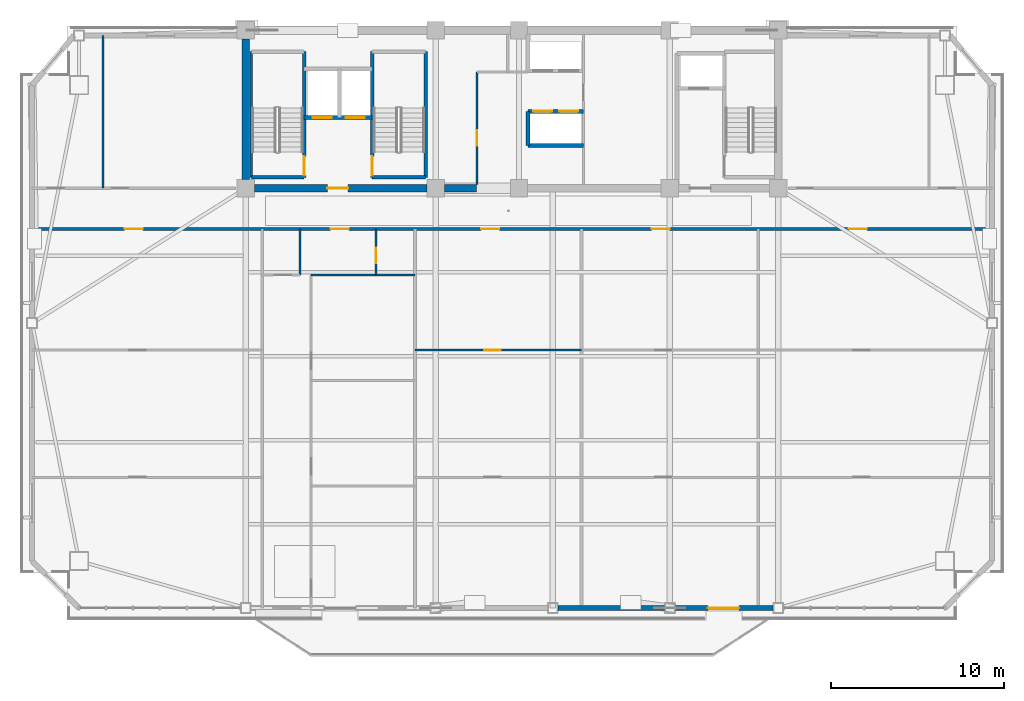
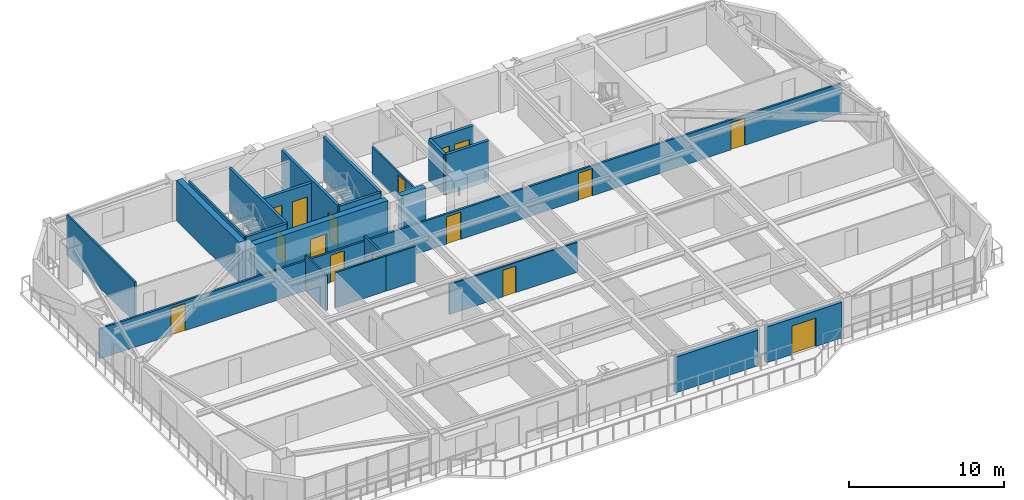
# One storey, part 9 of 16: 23 walls, 16 doors, 16 openings.
"""IFC4 building model written with IfcOpenShell, lengths in metres."""

import ifcopenshell
import ifcopenshell.guid

model = None  # the IFC model being written
_history = None  # IfcOwnerHistory: only IFC2X3 demands one
_inside = {}  # id of a spatial element -> (the spatial element, [elements in it])
_under = {}  # id of a project, library or spatial element -> (it, [spatial elements below it])
_declared = {}  # id of a project -> (the project, [libraries it declares])
_typed = {}  # id of a type object -> (the type object, [elements of that type])
_made_of = {}  # id of a material, layer set ... -> (it, [elements and type objects made of it])


def new_model(schema):
    """Start an empty IFC model of exactly this schema.

    Asked for "IFC4X3", IfcOpenShell would pick the latest addendum, in which some entities
    have other attributes; the version numbers below select the first issue.
    IFC2X3 requires an IfcOwnerHistory on every rooted entity: one is made here for all.
    """
    global model, _history
    if schema == "IFC4X3":
        model = ifcopenshell.file(schema_version=(4, 3, 0, 0))
    else:
        model = ifcopenshell.file(schema=schema)
    _inside.clear()
    _under.clear()
    _declared.clear()
    _typed.clear()
    _made_of.clear()
    _history = None
    if model.schema == "IFC2X3":
        org = make("IfcOrganization", Name="unknown")
        user = make(
            "IfcPersonAndOrganization",
            ThePerson=make("IfcPerson", FamilyName="unknown"),
            TheOrganization=org,
        )
        app = make(
            "IfcApplication",
            ApplicationDeveloper=org,
            Version="unknown",
            ApplicationFullName="unknown",
            ApplicationIdentifier="unknown",
        )
        _history = make(
            "IfcOwnerHistory",
            OwningUser=user,
            OwningApplication=app,
            ChangeAction="ADDED",
            CreationDate=0,
        )
    return model


def make(cls, **values):
    """One entity of the class cls with the attributes given. An attribute that is None is left unset."""
    return model.create_entity(
        cls, **{name: value for name, value in values.items() if value is not None}
    )


def rooted(cls, **values):
    """An entity with a GlobalId (a new one), such as an element, a storey or a relation."""
    return make(cls, GlobalId=ifcopenshell.guid.new(), OwnerHistory=_history, **values)


def si_unit(unit_type, name, prefix=None):
    """IfcSIUnit, for example si_unit("LENGTHUNIT", "METRE", prefix="MILLI")."""
    return make("IfcSIUnit", UnitType=unit_type, Prefix=prefix, Name=name)


def assignment(units):
    """IfcUnitAssignment: the units of a project."""
    return None if units is None else make("IfcUnitAssignment", Units=units)


def point(xyz):
    """IfcCartesianPoint."""
    return None if xyz is None else make("IfcCartesianPoint", Coordinates=xyz)


def direction(xyz):
    """IfcDirection."""
    return None if xyz is None else make("IfcDirection", DirectionRatios=xyz)


def frame(location, z_axis=None, x_axis=None):
    """IfcAxis2Placement3D, a coordinate frame: its origin and axes. An axis left out is left unset."""
    return make(
        "IfcAxis2Placement3D",
        Location=point(location),
        Axis=direction(z_axis),
        RefDirection=direction(x_axis),
    )


def frame_2d(location, x_axis=None):
    """IfcAxis2Placement2D, a coordinate frame in the plane: its origin and x axis."""
    return make(
        "IfcAxis2Placement2D", Location=point(location), RefDirection=direction(x_axis)
    )


def origin():
    """The frame at (0, 0, 0) with its axes left unset."""
    return frame((0.0, 0.0, 0.0))


def place(relative_to, where):
    """IfcLocalPlacement: puts the frame where relative to a parent placement (None: the world)."""
    return make(
        "IfcLocalPlacement", PlacementRelTo=relative_to, RelativePlacement=where
    )


def context(
    kind, dimensions, precision=None, world=None, true_north=None, identifier=None
):
    """IfcGeometricRepresentationContext, for example the 3D "Model" context."""
    return make(
        "IfcGeometricRepresentationContext",
        ContextIdentifier=identifier,
        ContextType=kind,
        CoordinateSpaceDimension=dimensions,
        Precision=precision,
        WorldCoordinateSystem=world,
        TrueNorth=true_north,
    )


def subcontext(parent, identifier, kind, view, scale=None):
    """IfcGeometricRepresentationSubContext, for example "Body" below "Model"."""
    return make(
        "IfcGeometricRepresentationSubContext",
        ContextIdentifier=identifier,
        ContextType=kind,
        ParentContext=parent,
        TargetScale=scale,
        TargetView=view,
    )


def project(units=None, contexts=None):
    """IfcProject with its units and contexts."""
    return rooted(
        "IfcProject",
        Name="project",
        RepresentationContexts=contexts,
        UnitsInContext=assignment(units),
    )


def spatial(cls, under=None, at=None, **own):
    """A site, building, storey or space (cls), placed at a placement, below another one or the project."""
    s = rooted(cls, ObjectPlacement=at, **own)
    if under is not None:
        _under.setdefault(under.id(), (under, []))[1].append(s)
    return s


def profile(cls, at=None, kind="AREA", **sizes):
    """A parametric profile (cls). Its sizes go by their IFC names, for example OverallWidth=200.0."""
    return make(cls, ProfileType=kind, Position=at, **sizes)


def rectangle(**sizes):
    """IfcRectangleProfileDef."""
    return profile("IfcRectangleProfileDef", **sizes)


def extrude(swept, where, along, depth):
    """IfcExtrudedAreaSolid: the profile swept, set in the frame where, extruded along a direction by depth."""
    return make(
        "IfcExtrudedAreaSolid",
        SweptArea=swept,
        Position=where,
        ExtrudedDirection=direction(along),
        Depth=depth,
    )


def shape(context_of_items, identifier, shape_type, items):
    """IfcShapeRepresentation: the items that make up one representation, for example the "Body"."""
    return make(
        "IfcShapeRepresentation",
        ContextOfItems=context_of_items,
        RepresentationIdentifier=identifier,
        RepresentationType=shape_type,
        Items=items,
    )


def source(mapping_origin, context_of_items, identifier, shape_type, items):
    """IfcRepresentationMap: a shape defined once, which mapped items show again and again."""
    return make(
        "IfcRepresentationMap",
        MappingOrigin=mapping_origin,
        MappedRepresentation=shape(context_of_items, identifier, shape_type, items),
    )


def transform(
    local_origin,
    x_axis=None,
    y_axis=None,
    z_axis=None,
    scale=None,
    scale2=None,
    scale3=None,
    uniform=True,
):
    """IfcCartesianTransformationOperator3D, or its non-uniform kind. x_axis, y_axis, z_axis: its Axis1, 2, 3."""
    if uniform:
        return make(
            "IfcCartesianTransformationOperator3D",
            Axis1=direction(x_axis),
            Axis2=direction(y_axis),
            LocalOrigin=point(local_origin),
            Scale=scale,
            Axis3=direction(z_axis),
        )
    return make(
        "IfcCartesianTransformationOperator3DnonUniform",
        Axis1=direction(x_axis),
        Axis2=direction(y_axis),
        LocalOrigin=point(local_origin),
        Scale=scale,
        Axis3=direction(z_axis),
        Scale2=scale2,
        Scale3=scale3,
    )


def mapped(mapping_source, mapping_target):
    """IfcMappedItem: shows the shape of a source again, moved by a transform."""
    return make(
        "IfcMappedItem", MappingSource=mapping_source, MappingTarget=mapping_target
    )


def material(Name=None, Category=None):
    """IfcMaterial."""
    return make("IfcMaterial", Name=Name, Category=Category)


def layer(
    of_material, thickness, ventilated=None, Name=None, Category=None, Priority=None
):
    """IfcMaterialLayer: one layer of a wall or slab, of a material (None: an air gap)."""
    return make(
        "IfcMaterialLayer",
        Material=of_material,
        LayerThickness=thickness,
        IsVentilated=ventilated,
        Name=Name,
        Category=Category,
        Priority=Priority,
    )


def layer_set(layers, Name=None):
    """IfcMaterialLayerSet."""
    return make("IfcMaterialLayerSet", MaterialLayers=layers, LayerSetName=Name)


def made_of(thing, what):
    """Note that an element or type object is made of a material, layer set ...; save() writes the relation."""
    if what is not None:
        _made_of.setdefault(what.id(), (what, []))[1].append(thing)
    return thing


def type_object(cls, material=None, **own):
    """A type object (cls), such as IfcWallType, which elements share."""
    return made_of(rooted(cls, **own), material)


def element(
    cls,
    number,
    at=None,
    inside=None,
    cuts=None,
    type_object=None,
    material=None,
    context=None,
    identifier="Body",
    shape_type=None,
    held_by="IfcProductDefinitionShape",
    body=None,
    shapes=None,
    **own,
):
    """One element of the class cls, such as IfcWall. Its Tag is "e" and its number.

    at: its placement. inside: the storey or other place that contains it. cuts: it is an
    opening in that element (IfcRelVoidsElement). A single representation is given by context,
    identifier, shape_type and body (its items); several are given by shapes. held_by: the class
    of the entity that holds the representations. save() writes the other relations.
    """
    e = rooted(cls, Tag="e%d" % number, ObjectPlacement=at, **own)
    if body is not None:
        shapes = [shape(context, identifier, shape_type, body)]
    if shapes is not None:
        e.Representation = make(held_by, Representations=shapes)
    if inside is not None:
        _inside.setdefault(inside.id(), (inside, []))[1].append(e)
    if cuts is not None:
        rooted(
            "IfcRelVoidsElement", RelatingBuildingElement=cuts, RelatedOpeningElement=e
        )
    if type_object is not None:
        _typed.setdefault(type_object.id(), (type_object, []))[1].append(e)
    return made_of(e, material)


def fill(opening, filler):
    """IfcRelFillsElement: the door or window that sits in an opening."""
    return rooted(
        "IfcRelFillsElement",
        RelatingOpeningElement=opening,
        RelatedBuildingElement=filler,
    )


def aggregate(whole, parts):
    """IfcRelAggregates: a whole, such as a stair, and the parts it consists of."""
    return rooted("IfcRelAggregates", RelatingObject=whole, RelatedObjects=parts)


def save(model, path):
    """Write the relations noted so far, then the file.

    IfcRelAggregates (storeys below a building ...), IfcRelContainedInSpatialStructure (elements
    in a storey), IfcRelDefinesByType, IfcRelAssociatesMaterial and IfcRelDeclares: one each for
    every whole, place, type object, material and project.
    """
    for whole, parts in _under.values():
        aggregate(whole, parts)
    for where, things in _inside.values():
        rooted(
            "IfcRelContainedInSpatialStructure",
            RelatedElements=things,
            RelatingStructure=where,
        )
    for kind, things in _typed.values():
        rooted("IfcRelDefinesByType", RelatedObjects=things, RelatingType=kind)
    for what, things in _made_of.values():
        rooted("IfcRelAssociatesMaterial", RelatedObjects=things, RelatingMaterial=what)
    for by, libraries in _declared.values():
        rooted("IfcRelDeclares", RelatingContext=by, RelatedDefinitions=libraries)
    model.write(path)


model = new_model("IFC4")

# Units and contexts
model_context = context("Model", 3, precision=1e-05, world=origin(), true_north=direction((0.0, 1.0)))
body_context = subcontext(model_context, "Body", "Model", "MODEL_VIEW")
ifc_project = project(units=[si_unit("LENGTHUNIT", "METRE"), si_unit("AREAUNIT", "SQUARE_METRE"), si_unit("VOLUMEUNIT", "CUBIC_METRE"), si_unit("PLANEANGLEUNIT", "RADIAN"), si_unit("MASSUNIT", "GRAM", prefix="KILO")], contexts=[model_context])

# Site, building, storey
site_placement = place(None, origin())
site = spatial("IfcSite", under=ifc_project, at=site_placement, CompositionType="ELEMENT")
building_placement = place(site_placement, origin())
building = spatial("IfcBuilding", under=site, at=building_placement, Name="Giltprow Tower", CompositionType="ELEMENT")
storey_placement = place(building_placement, frame((0.0, 0.0, 227.0)))
storey = spatial("IfcBuildingStorey", under=building, at=storey_placement, Name="L57", CompositionType="ELEMENT", Elevation=227.0)

# Wall
ifc_material_1 = material(Name="Precast concrete C40", Category="concrete")
ifc_layer_1 = layer(ifc_material_1, 0.280029296875, Name="Precast concrete C40")
ifc_layer_set_1 = layer_set([ifc_layer_1], Name="Precast concrete C40")
wall_type_1 = type_object("IfcWallType", Name="EW-TOW-BRONZE-280", PredefinedType="SOLIDWALL", material=ifc_layer_set_1)
wall_1_placement = place(storey_placement, frame((37.85009765625, 13.25, 0.0), z_axis=(0.0, 0.0, 1.0), x_axis=(1.0, 0.0, 0.0)))
element("IfcWall", 1, at=wall_1_placement, inside=storey, type_object=wall_type_1, Name="L57 South Expressed Frame Wall 4", PredefinedType="SOLIDWALL", context=body_context, shape_type="SweptSolid", body=[
    extrude(rectangle(XDim=6.14990234375, YDim=0.280029296875, at=frame_2d((3.074951171875, 0.0))), origin(), (0.0, 0.0, 1.0), 2.81494140625),
])

# Wall, opening, door
wall_2_placement = place(storey_placement, frame((44.60009765625, 13.25, 0.0), z_axis=(0.0, 0.0, 1.0), x_axis=(1.0, 0.0, 0.0)))
wall_2 = element("IfcWall", 2, at=wall_2_placement, inside=storey, type_object=wall_type_1, Name="L57 South Expressed Frame Wall 5", PredefinedType="SOLIDWALL", context=body_context, shape_type="SweptSolid", body=[
    extrude(rectangle(XDim=5.64990234375, YDim=0.280029296875, at=frame_2d((2.824951171875, 0.0))), origin(), (0.0, 0.0, 1.0), 2.81494140625),
])
opening_1_placement = place(wall_2_placement, frame((1.89990234375, 0.0, 0.0)))
opening_1 = element("IfcOpeningElement", 3, at=opening_1_placement, cuts=wall_2, Name="Opening ED25", PredefinedType="OPENING", context=body_context, shape_type="SweptSolid", body=[
    extrude(rectangle(XDim=1.800048828125, YDim=2.25, at=frame_2d((0.89990234375, 1.125))), frame((0.0, 0.14990234375, 0.0), z_axis=(0.0, -1.0, 0.0), x_axis=(1.0, 0.0, 0.0)), (0.0, 0.0, 1.0), 0.300048828125),
])
ifc_material_2 = material(Name="Anodized bronze and glass", Category="glass")
door_type_1 = type_object("IfcDoorType", Name="DR-BALC-SLIDE-1800", OperationType="SLIDING_TO_LEFT", PredefinedType="DOOR", material=ifc_material_2)
shared_shape_1 = source(origin(), body_context, "Body", "SweptSolid", [
    extrude(rectangle(XDim=1.800048828125, YDim=2.25, at=frame_2d((0.89990234375, 1.125))), frame((0.0, 0.02490234375, 0.0), z_axis=(0.0, -1.0, 0.0), x_axis=(1.0, 0.0, 0.0)), (0.0, 0.0, 1.0), 0.050048828125),
])
door_1_placement = place(opening_1_placement, origin())
door_1 = element("IfcDoor", 4, at=door_1_placement, inside=storey, type_object=door_type_1, Name="L57 Waterfront Balcony Sliding Door 2", OperationType="SLIDING_TO_LEFT", OverallHeight=2.25, OverallWidth=1.800048828125, PredefinedType="DOOR", context=body_context, shape_type="MappedRepresentation", body=[
    mapped(shared_shape_1, transform((0.0, 0.0, 0.0), x_axis=(1.0, 0.0, 0.0), y_axis=(0.0, 1.0, 0.0), z_axis=(0.0, 0.0, 1.0), scale=1.0)),
])
fill(opening_1, door_1)

# Wall, openings, doors
ifc_material_3 = material(Name="Gypsum stud partition", Category="gypsum")
ifc_layer_2 = layer(ifc_material_3, 0.14990234375, Name="Gypsum stud partition")
ifc_layer_set_2 = layer_set([ifc_layer_2], Name="Gypsum stud partition")
wall_type_2 = type_object("IfcWallType", Name="IW-CORR-150", PredefinedType="PARTITIONING", material=ifc_layer_set_2)
wall_3_placement = place(storey_placement, frame((7.532958984375, 35.10009765625, 0.0), z_axis=(0.0, 0.0, 1.0), x_axis=(1.0, 0.0, 0.0)))
wall_3 = element("IfcWall", 5, at=wall_3_placement, inside=storey, type_object=wall_type_2, Name="L57 Residence Gallery Corridor Wall", PredefinedType="PARTITIONING", context=body_context, shape_type="SweptSolid", body=[
    extrude(rectangle(XDim=55.333984375, YDim=0.14990234375, at=frame_2d((27.6669921875, 0.0))), origin(), (0.0, 0.0, 1.0), 2.3701171875),
])
opening_2_placement = place(wall_3_placement, frame((5.3349609375, 0.0, 0.0)))
opening_2 = element("IfcOpeningElement", 6, at=opening_2_placement, cuts=wall_3, Name="Opening ID31", PredefinedType="OPENING", context=body_context, shape_type="SweptSolid", body=[
    extrude(rectangle(XDim=1.050048828125, YDim=2.14990234375, at=frame_2d((0.52490234375, 1.074951171875))), frame((0.0, 0.0849609375, 0.0), z_axis=(0.0, -1.0, 0.0), x_axis=(1.0, 0.0, 0.0)), (0.0, 0.0, 1.0), 0.169921875),
])
opening_3_placement = place(wall_3_placement, frame((17.20703125, 0.0, 0.0)))
opening_3 = element("IfcOpeningElement", 7, at=opening_3_placement, cuts=wall_3, Name="Opening ID31", PredefinedType="OPENING", context=body_context, shape_type="SweptSolid", body=[
    extrude(rectangle(XDim=1.050048828125, YDim=2.14990234375, at=frame_2d((0.52490234375, 1.074951171875))), frame((0.0, 0.0849609375, 0.0), z_axis=(0.0, -1.0, 0.0), x_axis=(1.0, 0.0, 0.0)), (0.0, 0.0, 1.0), 0.169921875),
])
opening_4_placement = place(wall_3_placement, frame((25.884033203125, 0.0, 0.0)))
opening_4 = element("IfcOpeningElement", 8, at=opening_4_placement, cuts=wall_3, Name="Opening ID31", PredefinedType="OPENING", context=body_context, shape_type="SweptSolid", body=[
    extrude(rectangle(XDim=1.050048828125, YDim=2.14990234375, at=frame_2d((0.52490234375, 1.074951171875))), frame((0.0, 0.0849609375, 0.0), z_axis=(0.0, -1.0, 0.0), x_axis=(1.0, 0.0, 0.0)), (0.0, 0.0, 1.0), 0.169921875),
])
opening_5_placement = place(wall_3_placement, frame((35.7119140625, 0.0, 0.0)))
opening_5 = element("IfcOpeningElement", 9, at=opening_5_placement, cuts=wall_3, Name="Opening ID31", PredefinedType="OPENING", context=body_context, shape_type="SweptSolid", body=[
    extrude(rectangle(XDim=1.050048828125, YDim=2.14990234375, at=frame_2d((0.52490234375, 1.074951171875))), frame((0.0, 0.0849609375, 0.0), z_axis=(0.0, -1.0, 0.0), x_axis=(1.0, 0.0, 0.0)), (0.0, 0.0, 1.0), 0.169921875),
])
opening_6_placement = place(wall_3_placement, frame((47.077880859375, 0.0, 0.0)))
opening_6 = element("IfcOpeningElement", 10, at=opening_6_placement, cuts=wall_3, Name="Opening ID31", PredefinedType="OPENING", context=body_context, shape_type="SweptSolid", body=[
    extrude(rectangle(XDim=1.050048828125, YDim=2.14990234375, at=frame_2d((0.52490234375, 1.074951171875))), frame((0.0, 0.0849609375, 0.0), z_axis=(0.0, -1.0, 0.0), x_axis=(1.0, 0.0, 0.0)), (0.0, 0.0, 1.0), 0.169921875),
])
ifc_material_4 = material(Name="Engineered timber", Category="wood")
door_type_2 = type_object("IfcDoorType", Name="DR-SUITE-1050", OperationType="SINGLE_SWING_LEFT", PredefinedType="DOOR", material=ifc_material_4)
shared_shape_2 = source(origin(), body_context, "Body", "SweptSolid", [
    extrude(rectangle(XDim=1.050048828125, YDim=2.14990234375, at=frame_2d((0.52490234375, 1.074951171875))), frame((0.0, 0.02490234375, 0.0), z_axis=(0.0, -1.0, 0.0), x_axis=(1.0, 0.0, 0.0)), (0.0, 0.0, 1.0), 0.050048828125),
])
door_2_placement = place(opening_2_placement, origin())
door_2 = element("IfcDoor", 11, at=door_2_placement, inside=storey, type_object=door_type_2, Name="L57 Harbour Lounge Salon North Door", OperationType="SINGLE_SWING_RIGHT", OverallHeight=2.14990234375, OverallWidth=1.050048828125, PredefinedType="DOOR", context=body_context, shape_type="MappedRepresentation", body=[
    mapped(shared_shape_2, transform((0.0, 0.0, 0.0), x_axis=(1.0, 0.0, 0.0), y_axis=(0.0, 1.0, 0.0), z_axis=(0.0, 0.0, 1.0), scale=1.0)),
])
fill(opening_2, door_2)
door_3_placement = place(opening_3_placement, origin())
door_3 = element("IfcDoor", 12, at=door_3_placement, inside=storey, type_object=door_type_2, Name="L57 Unit 1 Entrance Door", OperationType="SINGLE_SWING_LEFT", OverallHeight=2.14990234375, OverallWidth=1.050048828125, PredefinedType="DOOR", context=body_context, shape_type="MappedRepresentation", body=[
    mapped(shared_shape_2, transform((0.0, 0.0, 0.0), x_axis=(1.0, 0.0, 0.0), y_axis=(0.0, 1.0, 0.0), z_axis=(0.0, 0.0, 1.0), scale=1.0)),
])
fill(opening_3, door_3)
door_4_placement = place(opening_4_placement, origin())
door_4 = element("IfcDoor", 13, at=door_4_placement, inside=storey, type_object=door_type_2, Name="L57 Residents Sky Club Lounge North Door", OperationType="SINGLE_SWING_LEFT", OverallHeight=2.14990234375, OverallWidth=1.050048828125, PredefinedType="DOOR", context=body_context, shape_type="MappedRepresentation", body=[
    mapped(shared_shape_2, transform((0.0, 0.0, 0.0), x_axis=(1.0, 0.0, 0.0), y_axis=(0.0, 1.0, 0.0), z_axis=(0.0, 0.0, 1.0), scale=1.0)),
])
fill(opening_4, door_4)
door_5_placement = place(opening_5_placement, origin())
door_5 = element("IfcDoor", 14, at=door_5_placement, inside=storey, type_object=door_type_2, Name="L57 Residents Sky Club Lounge North Door", OperationType="SINGLE_SWING_RIGHT", OverallHeight=2.14990234375, OverallWidth=1.050048828125, PredefinedType="DOOR", context=body_context, shape_type="MappedRepresentation", body=[
    mapped(shared_shape_2, transform((0.0, 0.0, 0.0), x_axis=(1.0, 0.0, 0.0), y_axis=(0.0, 1.0, 0.0), z_axis=(0.0, 0.0, 1.0), scale=1.0)),
])
fill(opening_5, door_5)
door_6_placement = place(opening_6_placement, origin())
door_6 = element("IfcDoor", 15, at=door_6_placement, inside=storey, type_object=door_type_2, Name="L57 Sky Music Lounge North Door", OperationType="SINGLE_SWING_LEFT", OverallHeight=2.14990234375, OverallWidth=1.050048828125, PredefinedType="DOOR", context=body_context, shape_type="MappedRepresentation", body=[
    mapped(shared_shape_2, transform((0.0, 0.0, 0.0), x_axis=(1.0, 0.0, 0.0), y_axis=(0.0, 1.0, 0.0), z_axis=(0.0, 0.0, 1.0), scale=1.0)),
])
fill(opening_6, door_6)

# Wall
ifc_layer_3 = layer(ifc_material_3, 0.1201171875, Name="Gypsum stud partition")
ifc_layer_set_3 = layer_set([ifc_layer_3], Name="Gypsum stud partition")
wall_type_3 = type_object("IfcWallType", Name="IW-ROOM-120", PredefinedType="PARTITIONING", material=ifc_layer_set_3)
wall_4_placement = place(storey_placement, frame((23.6201171875, 32.449951171875, 0.0), z_axis=(0.0, 0.0, 1.0), x_axis=(1.0, 0.0, 0.0)))
element("IfcWall", 16, at=wall_4_placement, inside=storey, type_object=wall_type_3, Name="L57 Unit 1 Bedroom North Wall", PredefinedType="PARTITIONING", context=body_context, shape_type="SweptSolid", body=[
    extrude(rectangle(XDim=3.739990234375, YDim=0.1201171875, at=frame_2d((1.8701171875, 0.0))), origin(), (0.0, 0.0, 1.0), 2.77001953125),
])

# Wall, opening, door
wall_5_placement = place(storey_placement, frame((29.60009765625, 28.117919921875, 0.0), z_axis=(0.0, 0.0, 1.0), x_axis=(1.0, 0.0, 0.0)))
wall_5 = element("IfcWall", 17, at=wall_5_placement, inside=storey, type_object=wall_type_3, Name="L57 Special Split 2", PredefinedType="PARTITIONING", context=body_context, shape_type="SweptSolid", body=[
    extrude(rectangle(XDim=9.599853515625, YDim=0.1201171875, at=frame_2d((4.7998046875, 0.0))), origin(), (0.0, 0.0, 1.0), 2.3701171875),
])
opening_7_placement = place(wall_5_placement, frame((4.006103515625, 0.0, 0.0)))
opening_7 = element("IfcOpeningElement", 18, at=opening_7_placement, cuts=wall_5, Name="Opening ID11", PredefinedType="OPENING", context=body_context, shape_type="SweptSolid", body=[
    extrude(rectangle(XDim=0.949951171875, YDim=2.10009765625, at=frame_2d((0.47509765625, 1.050048828125))), frame((0.0, 0.070068359375, 0.0), z_axis=(0.0, -1.0, 0.0), x_axis=(1.0, 0.0, 0.0)), (0.0, 0.0, 1.0), 0.14013671875),
])
door_type_3 = type_object("IfcDoorType", Name="DR-ROOM-950", OperationType="SINGLE_SWING_RIGHT", PredefinedType="DOOR", material=ifc_material_4)
shared_shape_3 = source(origin(), body_context, "Body", "SweptSolid", [
    extrude(rectangle(XDim=0.949951171875, YDim=2.10009765625, at=frame_2d((0.47509765625, 1.050048828125))), frame((0.0, 0.02490234375, 0.0), z_axis=(0.0, -1.0, 0.0), x_axis=(1.0, 0.0, 0.0)), (0.0, 0.0, 1.0), 0.050048828125),
])
door_7_placement = place(opening_7_placement, origin())
door_7 = element("IfcDoor", 19, at=door_7_placement, inside=storey, type_object=door_type_3, Name="L57 Residents Sky Club Lounge Mid Door", OperationType="SINGLE_SWING_RIGHT", OverallHeight=2.10009765625, OverallWidth=0.949951171875, PredefinedType="DOOR", context=body_context, shape_type="MappedRepresentation", body=[
    mapped(shared_shape_3, transform((0.0, 0.0, 0.0), x_axis=(1.0, 0.0, 0.0), y_axis=(0.0, 1.0, 0.0), z_axis=(0.0, 0.0, 1.0), scale=1.0)),
])
fill(opening_7, door_7)

# Wall, openings, doors
ifc_material_5 = material(Name="Concrete C40", Category="concrete")
ifc_layer_4 = layer(ifc_material_5, 0.219970703125, Name="Concrete C40")
ifc_layer_set_4 = layer_set([ifc_layer_4], Name="Concrete C40")
wall_type_4 = type_object("IfcWallType", Name="IW-SHAFT-220", PredefinedType="SOLIDWALL", material=ifc_layer_set_4)
wall_6_placement = place(storey_placement, frame((23.219970703125, 41.52001953125, 0.0), z_axis=(0.0, 0.0, 1.0), x_axis=(1.0, 0.0, 0.0)))
wall_6 = element("IfcWall", 20, at=wall_6_placement, inside=storey, type_object=wall_type_4, Name="L57 FFL1 and Service Lift Front Wall", PredefinedType="SOLIDWALL", context=body_context, shape_type="SweptSolid", body=[
    extrude(rectangle(XDim=3.919921875, YDim=0.219970703125, at=frame_2d((1.9599609375, 0.0))), origin(), (0.0, 0.0, 1.0), 3.18505859375),
])
opening_8_placement = place(wall_6_placement, frame((0.5, 0.0, 0.0)))
opening_8 = element("IfcOpeningElement", 21, at=opening_8_placement, cuts=wall_6, Name="Opening LD-11", PredefinedType="OPENING", context=body_context, shape_type="SweptSolid", body=[
    extrude(rectangle(XDim=1.10009765625, YDim=2.199951171875, at=frame_2d((0.550048828125, 1.10009765625))), frame((0.0, 0.119873046875, 0.0), z_axis=(0.0, -1.0, 0.0), x_axis=(1.0, 0.0, 0.0)), (0.0, 0.0, 1.0), 0.239990234375),
])
opening_9_placement = place(wall_6_placement, frame((2.39990234375, 0.0, 0.0)))
opening_9 = element("IfcOpeningElement", 22, at=opening_9_placement, cuts=wall_6, Name="Opening LD-11", PredefinedType="OPENING", context=body_context, shape_type="SweptSolid", body=[
    extrude(rectangle(XDim=1.10009765625, YDim=2.199951171875, at=frame_2d((0.550048828125, 1.10009765625))), frame((0.0, 0.119873046875, 0.0), z_axis=(0.0, -1.0, 0.0), x_axis=(1.0, 0.0, 0.0)), (0.0, 0.0, 1.0), 0.239990234375),
])
ifc_material_6 = material(Name="Stainless steel", Category="steel")
door_type_4 = type_object("IfcDoorType", Name="DR-LIFT-LD1100", OperationType="SLIDING_TO_LEFT", PredefinedType="DOOR", material=ifc_material_6)
shared_shape_4 = source(origin(), body_context, "Body", "SweptSolid", [
    extrude(rectangle(XDim=1.10009765625, YDim=2.199951171875, at=frame_2d((0.550048828125, 1.10009765625))), frame((0.0, 0.02490234375, 0.0), z_axis=(0.0, -1.0, 0.0), x_axis=(1.0, 0.0, 0.0)), (0.0, 0.0, 1.0), 0.050048828125),
])
door_8_placement = place(opening_8_placement, origin())
door_8 = element("IfcDoor", 23, at=door_8_placement, inside=storey, type_object=door_type_4, Name="L57 FFL1 Landing Door", OperationType="SLIDING_TO_LEFT", OverallHeight=2.199951171875, OverallWidth=1.10009765625, PredefinedType="DOOR", context=body_context, shape_type="MappedRepresentation", body=[
    mapped(shared_shape_4, transform((0.0, 0.0, 0.0), x_axis=(1.0, 0.0, 0.0), y_axis=(0.0, 1.0, 0.0), z_axis=(0.0, 0.0, 1.0), scale=1.0)),
])
fill(opening_8, door_8)
door_9_placement = place(opening_9_placement, origin())
door_9 = element("IfcDoor", 24, at=door_9_placement, inside=storey, type_object=door_type_4, Name="L57 SVL1 Landing Door", OperationType="SLIDING_TO_LEFT", OverallHeight=2.199951171875, OverallWidth=1.10009765625, PredefinedType="DOOR", context=body_context, shape_type="MappedRepresentation", body=[
    mapped(shared_shape_4, transform((0.0, 0.0, 0.0), x_axis=(1.0, 0.0, 0.0), y_axis=(0.0, 1.0, 0.0), z_axis=(0.0, 0.0, 1.0), scale=1.0)),
])
fill(opening_9, door_9)

wall_7_placement = place(storey_placement, frame((36.1201171875, 41.8798828125, 0.0), z_axis=(0.0, 0.0, 1.0), x_axis=(1.0, 0.0, 0.0)))
wall_7 = element("IfcWall", 25, at=wall_7_placement, inside=storey, type_object=wall_type_4, Name="L57 High-Rise Lift Shaft Front Wall S", PredefinedType="SOLIDWALL", context=body_context, shape_type="SweptSolid", body=[
    extrude(rectangle(XDim=3.199951171875, YDim=0.219970703125, at=frame_2d((1.60009765625, 0.0))), origin(), (0.0, 0.0, 1.0), 3.18505859375),
])
opening_10_placement = place(wall_7_placement, frame((0.300048828125, 0.0, 0.0)))
opening_10 = element("IfcOpeningElement", 26, at=opening_10_placement, cuts=wall_7, Name="Opening LD-11", PredefinedType="OPENING", context=body_context, shape_type="SweptSolid", body=[
    extrude(rectangle(XDim=1.10009765625, YDim=2.199951171875, at=frame_2d((0.550048828125, 1.10009765625))), frame((0.0, 0.119873046875, 0.0), z_axis=(0.0, -1.0, 0.0), x_axis=(1.0, 0.0, 0.0)), (0.0, 0.0, 1.0), 0.239990234375),
])
opening_11_placement = place(wall_7_placement, frame((1.7900390625, 0.0, 0.0)))
opening_11 = element("IfcOpeningElement", 27, at=opening_11_placement, cuts=wall_7, Name="Opening LD-11", PredefinedType="OPENING", context=body_context, shape_type="SweptSolid", body=[
    extrude(rectangle(XDim=1.10009765625, YDim=2.199951171875, at=frame_2d((0.550048828125, 1.10009765625))), frame((0.0, 0.119873046875, 0.0), z_axis=(0.0, -1.0, 0.0), x_axis=(1.0, 0.0, 0.0)), (0.0, 0.0, 1.0), 0.239990234375),
])
door_10_placement = place(opening_10_placement, origin())
door_10 = element("IfcDoor", 28, at=door_10_placement, inside=storey, type_object=door_type_4, Name="L57 PL-H3 Landing Door", OperationType="SLIDING_TO_LEFT", OverallHeight=2.199951171875, OverallWidth=1.10009765625, PredefinedType="DOOR", context=body_context, shape_type="MappedRepresentation", body=[
    mapped(shared_shape_4, transform((0.0, 0.0, 0.0), x_axis=(1.0, 0.0, 0.0), y_axis=(0.0, 1.0, 0.0), z_axis=(0.0, 0.0, 1.0), scale=1.0)),
])
fill(opening_10, door_10)
door_11_placement = place(opening_11_placement, origin())
door_11 = element("IfcDoor", 29, at=door_11_placement, inside=storey, type_object=door_type_4, Name="L57 PL-H4 Landing Door", OperationType="SLIDING_TO_LEFT", OverallHeight=2.199951171875, OverallWidth=1.10009765625, PredefinedType="DOOR", context=body_context, shape_type="MappedRepresentation", body=[
    mapped(shared_shape_4, transform((0.0, 0.0, 0.0), x_axis=(1.0, 0.0, 0.0), y_axis=(0.0, 1.0, 0.0), z_axis=(0.0, 0.0, 1.0), scale=1.0)),
])
fill(opening_11, door_11)

# Walls
wall_8_placement = place(storey_placement, frame((36.1201171875, 39.919921875, 0.0), z_axis=(0.0, 0.0, 1.0), x_axis=(1.0, 0.0, 0.0)))
element("IfcWall", 30, at=wall_8_placement, inside=storey, type_object=wall_type_4, Name="L57 High-Rise South Lift Back Wall", PredefinedType="SOLIDWALL", context=body_context, shape_type="SweptSolid", body=[
    extrude(rectangle(XDim=3.199951171875, YDim=0.219970703125, at=frame_2d((1.60009765625, 0.0))), origin(), (0.0, 0.0, 1.0), 3.18505859375),
])
wall_9_placement = place(storey_placement, frame((36.1201171875, 39.919921875, 0.0), z_axis=(0.0, 0.0, 1.0), x_axis=(0.0, 1.0, 0.0)))
element("IfcWall", 31, at=wall_9_placement, inside=storey, type_object=wall_type_4, Name="L57 High-Rise South Lift West Closure", PredefinedType="SOLIDWALL", context=body_context, shape_type="SweptSolid", body=[
    extrude(rectangle(XDim=1.9599609375, YDim=0.219970703125, at=frame_2d((0.97998046875, 0.0))), origin(), (0.0, 0.0, 1.0), 3.18505859375),
])
ifc_material_7 = material(Name="Concrete C45", Category="concrete")
ifc_layer_5 = layer(ifc_material_7, 0.139892578125, Name="Concrete C45")
ifc_layer_set_5 = layer_set([ifc_layer_5], Name="Concrete C45")
wall_type_5 = type_object("IfcWallType", Name="IW-STAIR-140", PredefinedType="SOLIDWALL", material=ifc_layer_set_5)
wall_10_placement = place(storey_placement, frame((20.169921875, 38.070068359375, 0.0), z_axis=(0.0, 0.0, 1.0), x_axis=(0.0, 1.0, 0.0)))
element("IfcWall", 32, at=wall_10_placement, inside=storey, type_object=wall_type_5, Name="L57 Stair ST-1 West Bearing Wall", PredefinedType="SOLIDWALL", context=body_context, shape_type="SweptSolid", body=[
    extrude(rectangle(XDim=7.25, YDim=0.139892578125, at=frame_2d((3.625, 0.0))), origin(), (0.0, 0.0, 1.0), 3.39990234375),
])

# Wall, opening, door
ifc_layer_6 = layer(ifc_material_5, 0.199951171875, Name="Concrete C40")
ifc_layer_set_6 = layer_set([ifc_layer_6], Name="Concrete C40")
wall_type_6 = type_object("IfcWallType", Name="IW-STAIR-200", PredefinedType="SOLIDWALL", material=ifc_layer_set_6)
wall_11_placement = place(storey_placement, frame((23.219970703125, 38.070068359375, 0.0), z_axis=(0.0, 0.0, 1.0), x_axis=(0.0, 1.0, 0.0)))
wall_11 = element("IfcWall", 33, at=wall_11_placement, inside=storey, type_object=wall_type_6, Name="L57 Stair ST-1 East Bearing Wall", PredefinedType="SOLIDWALL", context=body_context, shape_type="SweptSolid", body=[
    extrude(rectangle(XDim=7.25, YDim=0.199951171875, at=frame_2d((3.625, 0.0))), origin(), (0.0, 0.0, 1.0), 3.39990234375),
])
opening_12_placement = place(wall_11_placement, frame((0.110107421875, 0.0, 0.0)))
opening_12 = element("IfcOpeningElement", 34, at=opening_12_placement, cuts=wall_11, Name="Opening ID33", PredefinedType="OPENING", context=body_context, shape_type="SweptSolid", body=[
    extrude(rectangle(XDim=1.10009765625, YDim=2.14990234375, at=frame_2d((0.550048828125, 1.074951171875))), frame((0.0, 0.10986328125, 0.0), z_axis=(0.0, -1.0, 0.0), x_axis=(1.0, 0.0, 0.0)), (0.0, 0.0, 1.0), 0.219970703125),
])
ifc_material_8 = material(Name="Steel fire leaf", Category="steel")
door_type_5 = type_object("IfcDoorType", Name="DR-STAIR-1100", OperationType="SINGLE_SWING_LEFT", PredefinedType="DOOR", material=ifc_material_8)
shared_shape_5 = source(origin(), body_context, "Body", "SweptSolid", [
    extrude(rectangle(XDim=1.10009765625, YDim=2.14990234375, at=frame_2d((0.550048828125, 1.074951171875))), frame((0.0, 0.02490234375, 0.0), z_axis=(0.0, -1.0, 0.0), x_axis=(1.0, 0.0, 0.0)), (0.0, 0.0, 1.0), 0.050048828125),
])
door_12_placement = place(opening_12_placement, origin())
door_12 = element("IfcDoor", 35, at=door_12_placement, inside=storey, type_object=door_type_5, Name="L57 Stair ST-1 Fire Door", OperationType="SINGLE_SWING_LEFT", OverallHeight=2.14990234375, OverallWidth=1.10009765625, PredefinedType="DOOR", context=body_context, shape_type="MappedRepresentation", body=[
    mapped(shared_shape_5, transform((0.0, 0.0, 0.0), x_axis=(1.0, 0.0, 0.0), y_axis=(0.0, 1.0, 0.0), z_axis=(0.0, 0.0, 1.0), scale=1.0)),
])
fill(opening_12, door_12)

# Wall
wall_12_placement = place(storey_placement, frame((20.169921875, 38.070068359375, 0.0), z_axis=(0.0, 0.0, 1.0), x_axis=(1.0, 0.0, 0.0)))
element("IfcWall", 36, at=wall_12_placement, inside=storey, type_object=wall_type_6, Name="L57 Stair ST-1 South Bearing Wall", PredefinedType="SOLIDWALL", context=body_context, shape_type="SweptSolid", body=[
    extrude(rectangle(XDim=3.050048828125, YDim=0.199951171875, at=frame_2d((1.52490234375, 0.0))), origin(), (0.0, 0.0, 1.0), 3.39990234375),
])

# Wall, opening, door
wall_13_placement = place(storey_placement, frame((27.139892578125, 38.070068359375, 0.0), z_axis=(0.0, 0.0, 1.0), x_axis=(0.0, 1.0, 0.0)))
wall_13 = element("IfcWall", 37, at=wall_13_placement, inside=storey, type_object=wall_type_6, Name="L57 Stair ST-2 West Bearing Wall", PredefinedType="SOLIDWALL", context=body_context, shape_type="SweptSolid", body=[
    extrude(rectangle(XDim=7.25, YDim=0.199951171875, at=frame_2d((3.625, 0.0))), origin(), (0.0, 0.0, 1.0), 3.39990234375),
])
opening_13_placement = place(wall_13_placement, frame((0.110107421875, 0.0, 0.0)))
opening_13 = element("IfcOpeningElement", 38, at=opening_13_placement, cuts=wall_13, Name="Opening ID33", PredefinedType="OPENING", context=body_context, shape_type="SweptSolid", body=[
    extrude(rectangle(XDim=1.10009765625, YDim=2.14990234375, at=frame_2d((0.550048828125, 1.074951171875))), frame((0.0, 0.10986328125, 0.0), z_axis=(0.0, -1.0, 0.0), x_axis=(1.0, 0.0, 0.0)), (0.0, 0.0, 1.0), 0.219970703125),
])
door_13_placement = place(opening_13_placement, origin())
door_13 = element("IfcDoor", 39, at=door_13_placement, inside=storey, type_object=door_type_5, Name="L57 Stair ST-2 Fire Door", OperationType="SINGLE_SWING_RIGHT", OverallHeight=2.14990234375, OverallWidth=1.10009765625, PredefinedType="DOOR", context=body_context, shape_type="MappedRepresentation", body=[
    mapped(shared_shape_5, transform((0.0, 0.0, 0.0), x_axis=(1.0, 0.0, 0.0), y_axis=(0.0, 1.0, 0.0), z_axis=(0.0, 0.0, 1.0), scale=1.0)),
])
fill(opening_13, door_13)

# Walls
wall_14_placement = place(storey_placement, frame((30.219970703125, 38.070068359375, 0.0), z_axis=(0.0, 0.0, 1.0), x_axis=(0.0, 1.0, 0.0)))
element("IfcWall", 40, at=wall_14_placement, inside=storey, type_object=wall_type_6, Name="L57 Stair ST-2 East Bearing Wall", PredefinedType="SOLIDWALL", context=body_context, shape_type="SweptSolid", body=[
    extrude(rectangle(XDim=7.25, YDim=0.199951171875, at=frame_2d((3.625, 0.0))), origin(), (0.0, 0.0, 1.0), 3.39990234375),
])
wall_15_placement = place(storey_placement, frame((27.139892578125, 38.070068359375, 0.0), z_axis=(0.0, 0.0, 1.0), x_axis=(1.0, 0.0, 0.0)))
element("IfcWall", 41, at=wall_15_placement, inside=storey, type_object=wall_type_6, Name="L57 Stair ST-2 South Bearing Wall", PredefinedType="SOLIDWALL", context=body_context, shape_type="SweptSolid", body=[
    extrude(rectangle(XDim=3.080078125, YDim=0.199951171875, at=frame_2d((1.5400390625, 0.0))), origin(), (0.0, 0.0, 1.0), 3.39990234375),
])

# Wall, opening, door
ifc_material_9 = material(Name="Concrete C30", Category="concrete")
ifc_layer_7 = layer(ifc_material_9, 0.1298828125, Name="Concrete C30")
ifc_layer_set_7 = layer_set([ifc_layer_7], Name="Concrete C30")
wall_type_7 = type_object("IfcWallType", Name="IW-WET-130", PredefinedType="PARTITIONING", material=ifc_layer_set_7)
wall_16_placement = place(storey_placement, frame((33.179931640625, 37.655029296875, 0.0), z_axis=(0.0, 0.0, 1.0), x_axis=(0.0, 1.0, 0.0)))
wall_16 = element("IfcWall", 42, at=wall_16_placement, inside=storey, type_object=wall_type_7, Name="L57 Reclaimed West Core Wall", PredefinedType="PARTITIONING", context=body_context, shape_type="SweptSolid", body=[
    extrude(rectangle(XDim=6.494873046875, YDim=0.1298828125, at=frame_2d((3.24755859375, 0.0))), origin(), (0.0, 0.0, 1.0), 2.27001953125),
])
opening_14_placement = place(wall_16_placement, frame((2.2451171875, 0.0, 0.0)))
opening_14 = element("IfcOpeningElement", 43, at=opening_14_placement, cuts=wall_16, Name="Opening ID35", PredefinedType="OPENING", context=body_context, shape_type="SweptSolid", body=[
    extrude(rectangle(XDim=0.89990234375, YDim=2.10009765625, at=frame_2d((0.449951171875, 1.050048828125))), frame((0.0, 0.074951171875, 0.0), z_axis=(0.0, -1.0, 0.0), x_axis=(1.0, 0.0, 0.0)), (0.0, 0.0, 1.0), 0.14990234375),
])
door_type_6 = type_object("IfcDoorType", Name="DR-SHAFT-900", OperationType="SINGLE_SWING_LEFT", PredefinedType="DOOR", material=ifc_material_8)
shared_shape_6 = source(origin(), body_context, "Body", "SweptSolid", [
    extrude(rectangle(XDim=0.89990234375, YDim=2.10009765625, at=frame_2d((0.449951171875, 1.050048828125))), frame((0.0, 0.02490234375, 0.0), z_axis=(0.0, -1.0, 0.0), x_axis=(1.0, 0.0, 0.0)), (0.0, 0.0, 1.0), 0.050048828125),
])
door_14_placement = place(opening_14_placement, origin())
door_14 = element("IfcDoor", 44, at=door_14_placement, inside=storey, type_object=door_type_6, Name="L57 Core Accessible Washroom Door", OperationType="SINGLE_SWING_RIGHT", OverallHeight=2.10009765625, OverallWidth=0.89990234375, PredefinedType="DOOR", context=body_context, shape_type="MappedRepresentation", body=[
    mapped(shared_shape_6, transform((0.0, 0.0, 0.0), x_axis=(1.0, 0.0, 0.0), y_axis=(0.0, 1.0, 0.0), z_axis=(0.0, 0.0, 1.0), scale=1.0)),
])
fill(opening_14, door_14)

# Walls
wall_17_placement = place(storey_placement, frame((22.969970703125, 32.449951171875, 0.0), z_axis=(0.0, 0.0, 1.0), x_axis=(0.0, 1.0, 0.0)))
element("IfcWall", 45, at=wall_17_placement, inside=storey, type_object=wall_type_7, Name="L57 Unit 1 Kitchen East Wall", PredefinedType="PARTITIONING", context=body_context, shape_type="SweptSolid", body=[
    extrude(rectangle(XDim=2.650146484375, YDim=0.1298828125, at=frame_2d((1.3251953125, 0.0))), origin(), (0.0, 0.0, 1.0), 2.77001953125),
])
wall_18_placement = place(storey_placement, frame((27.360107421875, 32.449951171875, 0.0), z_axis=(0.0, 0.0, 1.0), x_axis=(1.0, 0.0, 0.0)))
element("IfcWall", 46, at=wall_18_placement, inside=storey, type_object=wall_type_7, Name="L57 Unit 1 Bathroom South Wall", PredefinedType="PARTITIONING", context=body_context, shape_type="SweptSolid", body=[
    extrude(rectangle(XDim=2.239990234375, YDim=0.1298828125, at=frame_2d((1.1201171875, 0.0))), origin(), (0.0, 0.0, 1.0), 2.77001953125),
])

# Wall, opening, door
wall_19_placement = place(storey_placement, frame((27.360107421875, 32.449951171875, 0.0), z_axis=(0.0, 0.0, 1.0), x_axis=(0.0, 1.0, 0.0)))
wall_19 = element("IfcWall", 47, at=wall_19_placement, inside=storey, type_object=wall_type_7, Name="L57 Unit 1 Bathroom West Wall", PredefinedType="PARTITIONING", context=body_context, shape_type="SweptSolid", body=[
    extrude(rectangle(XDim=2.650146484375, YDim=0.1298828125, at=frame_2d((1.3251953125, 0.0))), origin(), (0.0, 0.0, 1.0), 2.77001953125),
])
opening_15_placement = place(wall_19_placement, frame((0.669921875, 0.0, 0.0)))
opening_15 = element("IfcOpeningElement", 48, at=opening_15_placement, cuts=wall_19, Name="Opening ID15", PredefinedType="OPENING", context=body_context, shape_type="SweptSolid", body=[
    extrude(rectangle(XDim=0.89990234375, YDim=2.10009765625, at=frame_2d((0.449951171875, 1.050048828125))), frame((0.0, 0.074951171875, 0.0), z_axis=(0.0, -1.0, 0.0), x_axis=(1.0, 0.0, 0.0)), (0.0, 0.0, 1.0), 0.14990234375),
])
door_type_7 = type_object("IfcDoorType", Name="DR-WC-900", OperationType="SINGLE_SWING_LEFT", PredefinedType="DOOR", material=ifc_material_4)
door_15_placement = place(opening_15_placement, origin())
door_15 = element("IfcDoor", 49, at=door_15_placement, inside=storey, type_object=door_type_7, Name="L57 Unit 1 Bathroom Door", OperationType="SINGLE_SWING_LEFT", OverallHeight=2.10009765625, OverallWidth=0.89990234375, PredefinedType="DOOR", context=body_context, shape_type="MappedRepresentation", body=[
    mapped(shared_shape_6, transform((0.0, 0.0, 0.0), x_axis=(1.0, 0.0, 0.0), y_axis=(0.0, 1.0, 0.0), z_axis=(0.0, 0.0, 1.0), scale=1.0)),
])
fill(opening_15, door_15)

# Wall
wall_20_placement = place(storey_placement, frame((11.614990234375, 37.449951171875, 0.0), z_axis=(0.0, 0.0, 1.0), x_axis=(0.0, 1.0, 0.0)))
element("IfcWall", 50, at=wall_20_placement, inside=storey, type_object=wall_type_7, Name="L57 NW Wing Divider", PredefinedType="PARTITIONING", context=body_context, shape_type="SweptSolid", body=[
    extrude(rectangle(XDim=8.800048828125, YDim=0.1298828125, at=frame_2d((4.39990234375, 0.0))), origin(), (0.0, 0.0, 1.0), 3.18505859375),
])

# Wall, opening, door
ifc_material_10 = material(Name="Concrete C50", Category="concrete")
ifc_layer_8 = layer(ifc_material_10, 0.449951171875, Name="Concrete C50")
ifc_layer_set_8 = layer_set([ifc_layer_8], Name="Concrete C50")
wall_type_8 = type_object("IfcWallType", Name="SW-INT-450-C50", PredefinedType="SHEAR", material=ifc_layer_set_8)
wall_21_placement = place(storey_placement, frame((20.35009765625, 37.449951171875, 0.0), z_axis=(0.0, 0.0, 1.0), x_axis=(1.0, 0.0, 0.0)))
wall_21 = element("IfcWall", 51, at=wall_21_placement, inside=storey, type_object=wall_type_8, Name="L57 South Rear Core Shear Wall West", PredefinedType="SHEAR", context=body_context, shape_type="SweptSolid", body=[
    extrude(rectangle(XDim=9.949951171875, YDim=0.449951171875, at=frame_2d((4.97509765625, 0.0))), origin(), (0.0, 0.0, 1.0), 3.18505859375),
])
opening_16_placement = place(wall_21_placement, frame((4.199951171875, 0.0, 0.0)))
opening_16 = element("IfcOpeningElement", 52, at=opening_16_placement, cuts=wall_21, Name="Opening ID19", PredefinedType="OPENING", context=body_context, shape_type="SweptSolid", body=[
    extrude(rectangle(XDim=1.199951171875, YDim=2.14990234375, at=frame_2d((0.60009765625, 1.074951171875))), frame((0.0, 0.23486328125, 0.0), z_axis=(0.0, -1.0, 0.0), x_axis=(1.0, 0.0, 0.0)), (0.0, 0.0, 1.0), 0.469970703125),
])
door_type_8 = type_object("IfcDoorType", Name="DR-FFLOBBY-1200", OperationType="SINGLE_SWING_RIGHT", PredefinedType="DOOR", material=ifc_material_8)
shared_shape_7 = source(origin(), body_context, "Body", "SweptSolid", [
    extrude(rectangle(XDim=1.199951171875, YDim=2.14990234375, at=frame_2d((0.60009765625, 1.074951171875))), frame((0.0, 0.02490234375, 0.0), z_axis=(0.0, -1.0, 0.0), x_axis=(1.0, 0.0, 0.0)), (0.0, 0.0, 1.0), 0.050048828125),
])
door_16_placement = place(opening_16_placement, origin())
door_16 = element("IfcDoor", 53, at=door_16_placement, inside=storey, type_object=door_type_8, Name="L57 West Firefighting Lobby Entry Door", OperationType="SINGLE_SWING_RIGHT", OverallHeight=2.14990234375, OverallWidth=1.199951171875, PredefinedType="DOOR", context=body_context, shape_type="MappedRepresentation", body=[
    mapped(shared_shape_7, transform((0.0, 0.0, 0.0), x_axis=(1.0, 0.0, 0.0), y_axis=(0.0, 1.0, 0.0), z_axis=(0.0, 0.0, 1.0), scale=1.0)),
])
fill(opening_16, door_16)

# Walls
wall_22_placement = place(storey_placement, frame((31.300048828125, 37.449951171875, 0.0), z_axis=(0.0, 0.0, 1.0), x_axis=(1.0, 0.0, 0.0)))
element("IfcWall", 54, at=wall_22_placement, inside=storey, type_object=wall_type_8, Name="L57 South Rear Core Shear Wall Mid-West", PredefinedType="SHEAR", context=body_context, shape_type="SweptSolid", body=[
    extrude(rectangle(XDim=1.849853515625, YDim=0.449951171875, at=frame_2d((0.9248046875, 0.0))), origin(), (0.0, 0.0, 1.0), 3.18505859375),
])
wall_23_placement = place(storey_placement, frame((19.85009765625, 37.949951171875, 0.0), z_axis=(0.0, 0.0, 1.0), x_axis=(0.0, 1.0, 0.0)))
element("IfcWall", 55, at=wall_23_placement, inside=storey, type_object=wall_type_8, Name="L57 W Rear Core Shear Wall", PredefinedType="SHEAR", context=body_context, shape_type="SweptSolid", body=[
    extrude(rectangle(XDim=8.10009765625, YDim=0.449951171875, at=frame_2d((4.050048828125, 0.0))), origin(), (0.0, 0.0, 1.0), 3.18505859375),
])

save(model, "model.ifc")
